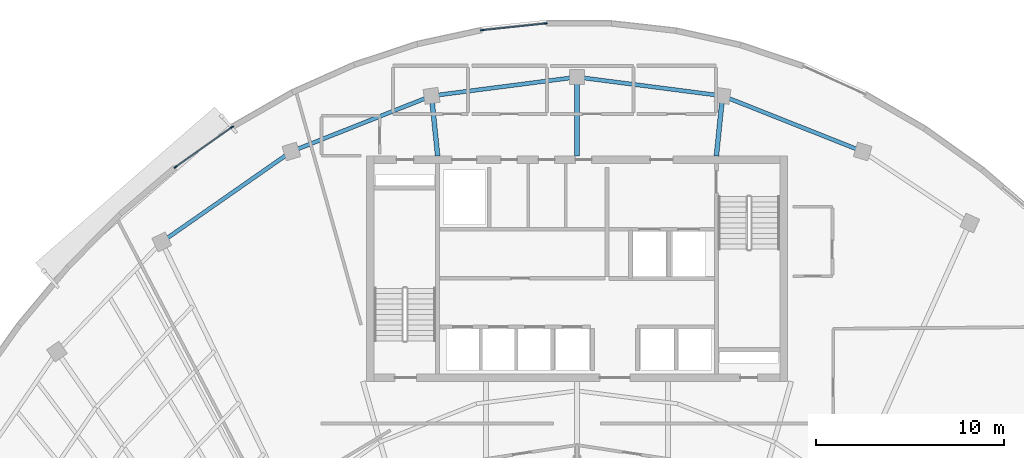
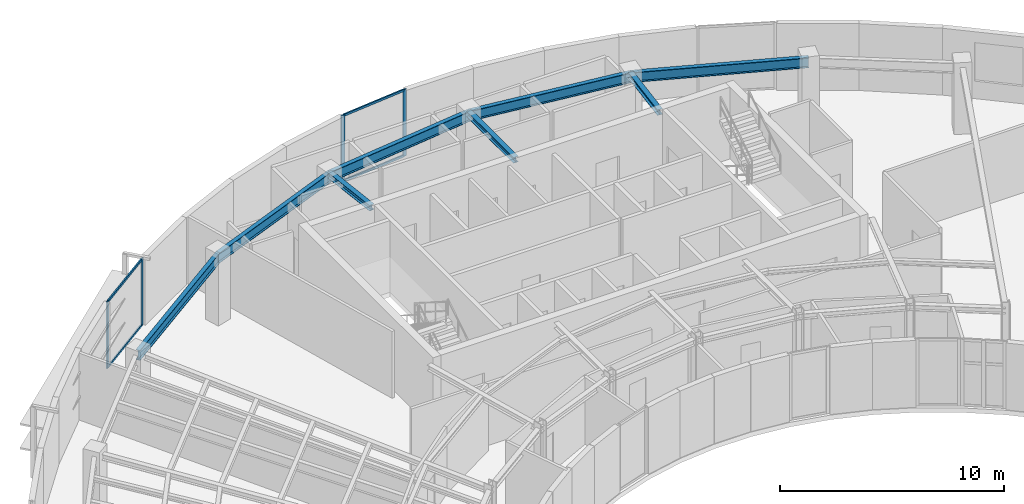
# One storey, part 4 of 13: 8 beams, 8 members, 2 elements without a shape of their own.
"""IFC4 building model written with IfcOpenShell, lengths in metres."""

from ifc_helpers import new_model, si_unit, direction, frame, origin, origin_2d, place, context, subcontext, project, spatial, rectangle, i_section, extrude, source, transform, mapped, material, layer, layer_set, material_profile, profile_set, type_object, element, aggregate, save


model = new_model("IFC4")

# Units and contexts
model_context = context("Model", 3, precision=1e-05, world=origin(), true_north=direction((0.0, 1.0)))
body_context = subcontext(model_context, "Body", "Model", "MODEL_VIEW")
ifc_project = project(units=[si_unit("LENGTHUNIT", "METRE"), si_unit("AREAUNIT", "SQUARE_METRE"), si_unit("VOLUMEUNIT", "CUBIC_METRE"), si_unit("PLANEANGLEUNIT", "RADIAN"), si_unit("MASSUNIT", "GRAM", prefix="KILO")], contexts=[model_context])

# Site, building, storey
site_placement = place(None, origin())
site = spatial("IfcSite", under=ifc_project, at=site_placement, CompositionType="ELEMENT")
building_placement = place(site_placement, origin())
building = spatial("IfcBuilding", under=site, at=building_placement, Name="Breltana Convention Tower", CompositionType="ELEMENT")
storey_placement = place(building_placement, frame((0.0, 0.0, 271.800048828125)))
storey = spatial("IfcBuildingStorey", under=building, at=storey_placement, Name="L66", CompositionType="ELEMENT", Elevation=271.800048828125)

# Beams
ifc_material_1 = material(Name="Steel ASTM A992 Grade 50", Category="steel")
ifc_material_profile_1 = material_profile(ifc_material_1, i_section(OverallWidth=0.214111328125, OverallDepth=0.549072265625, WebThickness=0.0146484375, FlangeThickness=0.023681640625, at=origin_2d()), Name="W21X93")
ifc_profile_set_1 = profile_set([ifc_material_profile_1], Name="Steel ASTM A992 Grade 50")
beam_type_1 = type_object("IfcBeamType", Name="BM-SP-W21X93", PredefinedType="SPANDREL", material=ifc_profile_set_1)
shared_shape_1 = source(origin(), body_context, "Body", "SweptSolid", [
    extrude(i_section(OverallWidth=0.214111328125, OverallDepth=0.549072265625, WebThickness=0.0146484375, FlangeThickness=0.023681640625, at=origin_2d()), origin(), (0.0, 0.0, 1.0), 8.4169921875),
])
beam_1_placement = place(storey_placement, frame((25.8876953125, 67.626953125, 3.365478515625), z_axis=(0.820173800102, 0.572114444519, 0.0), x_axis=(-0.572114444519, 0.820173800102, 0.0)))
element("IfcBeam", 1, at=beam_1_placement, inside=storey, type_object=beam_type_1, Name="L66 Outer Spandrel Beam 03", PredefinedType="SPANDREL", context=body_context, shape_type="MappedRepresentation", body=[
    mapped(shared_shape_1, transform((0.0, 0.0, 0.0), scale=1.0)),
])
shared_shape_2 = source(origin(), body_context, "Body", "SweptSolid", [
    extrude(i_section(OverallWidth=0.214111328125, OverallDepth=0.549072265625, WebThickness=0.0146484375, FlangeThickness=0.023681640625, at=origin_2d()), origin(), (0.0, 0.0, 1.0), 8.028564453125),
])
for number, where, z_axis, x_axis, name in (
    (2, (32.791015625, 72.4423828125, 3.365478515625), (0.929459100394, 0.368925169507, 0.0), (-0.368925169507, 0.929459100394, 0.0), "L66 Outer Spandrel Beam 04"),
    (3, (55.746826171875, 75.404296875, 3.365478515625), (0.929459100394, -0.368925169507, 0.0), (0.368925169507, 0.929459100394, 0.0), "L66 Outer Spandrel Beam 07"),
):
    element("IfcBeam", number, at=place(storey_placement, frame(where, z_axis=z_axis, x_axis=x_axis)), inside=storey, type_object=beam_type_1, Name=name, PredefinedType="SPANDREL", context=body_context, shape_type="MappedRepresentation", body=[
        mapped(shared_shape_2, transform((0.0, 0.0, 0.0), scale=1.0)),
    ])
shared_shape_3 = source(origin(), body_context, "Body", "SweptSolid", [
    extrude(i_section(OverallWidth=0.214111328125, OverallDepth=0.549072265625, WebThickness=0.0146484375, FlangeThickness=0.023681640625, at=origin_2d()), origin(), (0.0, 0.0, 1.0), 7.81103515625),
])
for number, where, z_axis, x_axis, name in (
    (4, (40.253173828125, 75.404296875, 3.365478515625), (0.991775179127, 0.127992164083, 0.0), (-0.127992164083, 0.991775179127, 0.0), "L66 Outer Spandrel Beam 05"),
    (5, (48.0, 76.404052734375, 3.365478515625), (0.991775179127, -0.127992164083, 0.0), (0.127992164083, 0.991775179127, 0.0), "L66 Outer Spandrel Beam 06"),
):
    element("IfcBeam", number, at=place(storey_placement, frame(where, z_axis=z_axis, x_axis=x_axis)), inside=storey, type_object=beam_type_1, Name=name, PredefinedType="SPANDREL", context=body_context, shape_type="MappedRepresentation", body=[
        mapped(shared_shape_3, transform((0.0, 0.0, 0.0), scale=1.0)),
    ])
ifc_material_profile_2 = material_profile(ifc_material_1, i_section(OverallWidth=0.25390625, OverallDepth=0.305908203125, WebThickness=0.0087890625, FlangeThickness=0.0146484375, at=origin_2d()), Name="W12X53")
ifc_profile_set_2 = profile_set([ifc_material_profile_2], Name="Steel ASTM A992 Grade 50")
beam_type_2 = type_object("IfcBeamType", Name="BM-CN-W12X53", PredefinedType="BEAM", material=ifc_profile_set_2)
shared_shape_4 = source(origin(), body_context, "Body", "SweptSolid", [
    extrude(i_section(OverallWidth=0.25390625, OverallDepth=0.305908203125, WebThickness=0.0087890625, FlangeThickness=0.0146484375, at=origin_2d()), origin(), (0.0, 0.0, 1.0), 3.220947265625),
])
for number, where, z_axis, x_axis, name in (
    (6, (40.580078125, 72.199951171875, 3.487060546875), (-0.101492254858, 0.994836329355, 0.0), (-0.994836329355, -0.101492254858, 0.0), "L66 North Core Radial Girder R05"),
    (7, (55.419921875, 72.199951171875, 3.487060546875), (0.101492254858, 0.994836329355, 0.0), (-0.994836329355, 0.101492254858, 0.0), "L66 North Core Radial Girder R07"),
):
    element("IfcBeam", number, at=place(storey_placement, frame(where, z_axis=z_axis, x_axis=x_axis)), inside=storey, type_object=beam_type_2, Name=name, PredefinedType="BEAM", context=body_context, shape_type="MappedRepresentation", body=[
        mapped(shared_shape_4, transform((0.0, 0.0, 0.0), scale=1.0)),
    ])
shared_shape_5 = source(origin(), body_context, "Body", "SweptSolid", [
    extrude(i_section(OverallWidth=0.25390625, OverallDepth=0.305908203125, WebThickness=0.0087890625, FlangeThickness=0.0146484375, at=origin_2d()), origin(), (0.0, 0.0, 1.0), 4.2041015625),
])
beam_2_placement = place(storey_placement, frame((48.0, 72.199951171875, 3.487060546875), z_axis=(0.0, 1.0, 0.0), x_axis=(-1.0, 0.0, 0.0)))
element("IfcBeam", 8, at=beam_2_placement, inside=storey, type_object=beam_type_2, Name="L66 North Core Radial Girder R06", PredefinedType="BEAM", context=body_context, shape_type="MappedRepresentation", body=[
    mapped(shared_shape_5, transform((0.0, 0.0, 0.0), scale=1.0)),
])

# Curtain wall, members
ifc_material_2 = material(Name="Aluminium Anodised Bronze Frame", Category="aluminium")
ifc_layer = layer(ifc_material_2, 0.22998046875, Name="Aluminium Anodised Bronze Frame")
ifc_layer_set = layer_set([ifc_layer], Name="Aluminium Anodised Bronze Frame")
curtain_wall_type = type_object("IfcCurtainWallType", Name="CW-SYS-5", PredefinedType="NOTDEFINED", material=ifc_layer_set)
curtain_wall_1_placement = place(storey_placement, origin())
curtain_wall_1 = element("IfcCurtainWall", 9, at=curtain_wall_1_placement, inside=storey, type_object=curtain_wall_type, Name="L66 outer double-skin inner glazing 2", PredefinedType="NOTDEFINED")
ifc_material_3 = material(Name="Aluminium Anodised Bronze", Category="aluminium")
ifc_material_profile_3 = material_profile(ifc_material_3, rectangle(XDim=0.070068359375, YDim=0.1201171875, at=origin_2d()), Name="CWT-70X120")
ifc_profile_set_3 = profile_set([ifc_material_profile_3], Name="Aluminium Anodised Bronze")
member_type_1 = type_object("IfcMemberType", Name="CWT-120", PredefinedType="USERDEFINED", material=ifc_profile_set_3)
shared_shape_6 = source(origin(), body_context, "Body", "SweptSolid", [
    extrude(rectangle(XDim=0.070068359375, YDim=0.1201171875, at=origin_2d()), origin(), (0.0, 0.0, 1.0), 3.61279296875),
])
member_1_placement = place(storey_placement, frame((26.65283203125, 71.632080078125, 0.034912109375), z_axis=(0.817003444872, 0.576632787021, 0.0), x_axis=(-0.576632787021, 0.817003444872, 0.0)))
member_1 = element("IfcMember", 10, at=member_1_placement, type_object=member_type_1, Name="CW-05 transom 1.1", ObjectType="TRANSOM", PredefinedType="USERDEFINED", context=body_context, shape_type="MappedRepresentation", body=[
    mapped(shared_shape_6, transform((0.0, 0.0, 0.0), scale=1.0)),
])
member_2_placement = place(storey_placement, frame((26.65283203125, 71.632080078125, 3.60498046875), z_axis=(0.817003444872, 0.576632787021, 0.0), x_axis=(-0.576632787021, 0.817003444872, 0.0)))
member_2 = element("IfcMember", 11, at=member_2_placement, type_object=member_type_1, Name="CW-05 transom 1.2", ObjectType="TRANSOM", PredefinedType="USERDEFINED", context=body_context, shape_type="MappedRepresentation", body=[
    mapped(shared_shape_6, transform((0.0, 0.0, 0.0), scale=1.0)),
])

curtain_wall_2_placement = place(storey_placement, origin())
curtain_wall_2 = element("IfcCurtainWall", 12, at=curtain_wall_2_placement, inside=storey, type_object=curtain_wall_type, Name="L66 outer double-skin inner glazing 3", PredefinedType="NOTDEFINED")
shared_shape_7 = source(origin(), body_context, "Body", "SweptSolid", [
    extrude(rectangle(XDim=0.070068359375, YDim=0.1201171875, at=origin_2d()), origin(), (0.0, 0.0, 1.0), 3.330078125),
])
member_3_placement = place(storey_placement, frame((42.9814453125, 78.905029296875, 0.034912109375), z_axis=(0.99442724385, 0.105425123611, 0.0), x_axis=(-0.105425123611, 0.99442724385, 0.0)))
member_3 = element("IfcMember", 13, at=member_3_placement, type_object=member_type_1, Name="CW-05 transom 1.1", ObjectType="TRANSOM", PredefinedType="USERDEFINED", context=body_context, shape_type="MappedRepresentation", body=[
    mapped(shared_shape_7, transform((0.0, 0.0, 0.0), scale=1.0)),
])
member_4_placement = place(storey_placement, frame((42.9814453125, 78.905029296875, 3.60498046875), z_axis=(0.99442724385, 0.105425123611, 0.0), x_axis=(-0.105425123611, 0.99442724385, 0.0)))
member_4 = element("IfcMember", 14, at=member_4_placement, type_object=member_type_1, Name="CW-05 transom 1.2", ObjectType="TRANSOM", PredefinedType="USERDEFINED", context=body_context, shape_type="MappedRepresentation", body=[
    mapped(shared_shape_7, transform((0.0, 0.0, 0.0), scale=1.0)),
])

# Member
ifc_material_profile_4 = material_profile(ifc_material_3, rectangle(XDim=0.070068359375, YDim=0.175048828125, at=origin_2d()), Name="CWM-70X175")
ifc_profile_set_4 = profile_set([ifc_material_profile_4], Name="Aluminium Anodised Bronze")
member_type_2 = type_object("IfcMemberType", Name="CWM-175", PredefinedType="MULLION", material=ifc_profile_set_4)
shared_shape_8 = source(origin(), body_context, "Body", "SweptSolid", [
    extrude(rectangle(XDim=0.070068359375, YDim=0.175048828125, at=origin_2d()), origin(), (0.0, 0.0, 1.0), 3.639892578125),
])
member_5_placement = place(storey_placement, frame((26.624267578125, 71.61181640625, 0.0), z_axis=(0.0, 0.0, 1.0), x_axis=(-0.576623562452, 0.817009955402, 0.0)))
member_5 = element("IfcMember", 15, at=member_5_placement, type_object=member_type_2, Name="CW-05 mullion 1", PredefinedType="MULLION", context=body_context, shape_type="MappedRepresentation", body=[
    mapped(shared_shape_8, transform((0.0, 0.0, 0.0), scale=1.0)),
])

member_6_placement = place(storey_placement, frame((29.633056640625, 73.7353515625, 0.0), z_axis=(0.0, 0.0, 1.0), x_axis=(-0.576623562452, 0.817009955402, 0.0)))
member_6 = element("IfcMember", 16, at=member_6_placement, type_object=member_type_2, Name="CW-05 mullion 2", PredefinedType="MULLION", context=body_context, shape_type="MappedRepresentation", body=[
    mapped(shared_shape_8, transform((0.0, 0.0, 0.0), scale=1.0)),
])

aggregate(curtain_wall_1, [member_5, member_6, member_1, member_2])

member_7_placement = place(storey_placement, frame((42.94677734375, 78.9013671875, 0.0), z_axis=(0.0, 0.0, 1.0), x_axis=(-0.105448335932, 0.994424782701, 0.0)))
member_7 = element("IfcMember", 17, at=member_7_placement, type_object=member_type_2, Name="CW-05 mullion 1", PredefinedType="MULLION", context=body_context, shape_type="MappedRepresentation", body=[
    mapped(shared_shape_8, transform((0.0, 0.0, 0.0), scale=1.0)),
])

member_8_placement = place(storey_placement, frame((46.32763671875, 79.260009765625, 0.0), z_axis=(0.0, 0.0, 1.0), x_axis=(-0.105448335932, 0.994424782701, 0.0)))
member_8 = element("IfcMember", 18, at=member_8_placement, type_object=member_type_2, Name="CW-05 mullion 2", PredefinedType="MULLION", context=body_context, shape_type="MappedRepresentation", body=[
    mapped(shared_shape_8, transform((0.0, 0.0, 0.0), scale=1.0)),
])

aggregate(curtain_wall_2, [member_7, member_8, member_3, member_4])

save(model, "model.ifc")
